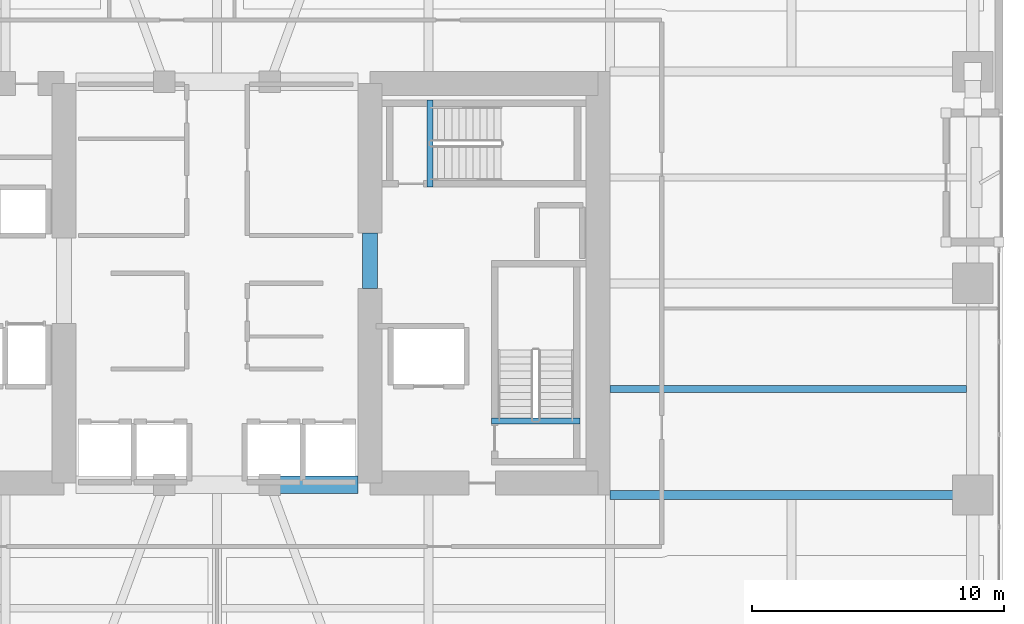
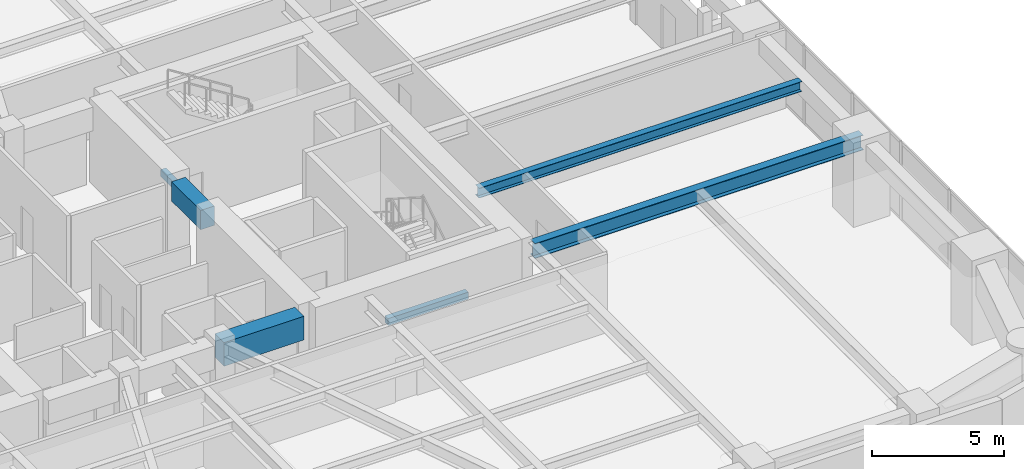
# One storey, part 7 of 29: 6 beams.
"""IFC4 building model written with IfcOpenShell, lengths in metres."""

import ifcopenshell
import ifcopenshell.guid

model = None  # the IFC model being written
_history = None  # IfcOwnerHistory: only IFC2X3 demands one
_inside = {}  # id of a spatial element -> (the spatial element, [elements in it])
_under = {}  # id of a project, library or spatial element -> (it, [spatial elements below it])
_declared = {}  # id of a project -> (the project, [libraries it declares])
_typed = {}  # id of a type object -> (the type object, [elements of that type])
_made_of = {}  # id of a material, layer set ... -> (it, [elements and type objects made of it])


def new_model(schema):
    """Start an empty IFC model of exactly this schema.

    Asked for "IFC4X3", IfcOpenShell would pick the latest addendum, in which some entities
    have other attributes; the version numbers below select the first issue.
    IFC2X3 requires an IfcOwnerHistory on every rooted entity: one is made here for all.
    """
    global model, _history
    if schema == "IFC4X3":
        model = ifcopenshell.file(schema_version=(4, 3, 0, 0))
    else:
        model = ifcopenshell.file(schema=schema)
    _inside.clear()
    _under.clear()
    _declared.clear()
    _typed.clear()
    _made_of.clear()
    _history = None
    if model.schema == "IFC2X3":
        org = make("IfcOrganization", Name="unknown")
        user = make(
            "IfcPersonAndOrganization",
            ThePerson=make("IfcPerson", FamilyName="unknown"),
            TheOrganization=org,
        )
        app = make(
            "IfcApplication",
            ApplicationDeveloper=org,
            Version="unknown",
            ApplicationFullName="unknown",
            ApplicationIdentifier="unknown",
        )
        _history = make(
            "IfcOwnerHistory",
            OwningUser=user,
            OwningApplication=app,
            ChangeAction="ADDED",
            CreationDate=0,
        )
    return model


def make(cls, **values):
    """One entity of the class cls with the attributes given. An attribute that is None is left unset."""
    return model.create_entity(
        cls, **{name: value for name, value in values.items() if value is not None}
    )


def rooted(cls, **values):
    """An entity with a GlobalId (a new one), such as an element, a storey or a relation."""
    return make(cls, GlobalId=ifcopenshell.guid.new(), OwnerHistory=_history, **values)


def si_unit(unit_type, name, prefix=None):
    """IfcSIUnit, for example si_unit("LENGTHUNIT", "METRE", prefix="MILLI")."""
    return make("IfcSIUnit", UnitType=unit_type, Prefix=prefix, Name=name)


def assignment(units):
    """IfcUnitAssignment: the units of a project."""
    return None if units is None else make("IfcUnitAssignment", Units=units)


def point(xyz):
    """IfcCartesianPoint."""
    return None if xyz is None else make("IfcCartesianPoint", Coordinates=xyz)


def direction(xyz):
    """IfcDirection."""
    return None if xyz is None else make("IfcDirection", DirectionRatios=xyz)


def frame(location, z_axis=None, x_axis=None):
    """IfcAxis2Placement3D, a coordinate frame: its origin and axes. An axis left out is left unset."""
    return make(
        "IfcAxis2Placement3D",
        Location=point(location),
        Axis=direction(z_axis),
        RefDirection=direction(x_axis),
    )


def frame_2d(location, x_axis=None):
    """IfcAxis2Placement2D, a coordinate frame in the plane: its origin and x axis."""
    return make(
        "IfcAxis2Placement2D", Location=point(location), RefDirection=direction(x_axis)
    )


def origin():
    """The frame at (0, 0, 0) with its axes left unset."""
    return frame((0.0, 0.0, 0.0))


def origin_2d():
    """The frame at (0, 0) in the plane with its x axis left unset."""
    return frame_2d((0.0, 0.0))


def place(relative_to, where):
    """IfcLocalPlacement: puts the frame where relative to a parent placement (None: the world)."""
    return make(
        "IfcLocalPlacement", PlacementRelTo=relative_to, RelativePlacement=where
    )


def context(
    kind, dimensions, precision=None, world=None, true_north=None, identifier=None
):
    """IfcGeometricRepresentationContext, for example the 3D "Model" context."""
    return make(
        "IfcGeometricRepresentationContext",
        ContextIdentifier=identifier,
        ContextType=kind,
        CoordinateSpaceDimension=dimensions,
        Precision=precision,
        WorldCoordinateSystem=world,
        TrueNorth=true_north,
    )


def subcontext(parent, identifier, kind, view, scale=None):
    """IfcGeometricRepresentationSubContext, for example "Body" below "Model"."""
    return make(
        "IfcGeometricRepresentationSubContext",
        ContextIdentifier=identifier,
        ContextType=kind,
        ParentContext=parent,
        TargetScale=scale,
        TargetView=view,
    )


def project(units=None, contexts=None):
    """IfcProject with its units and contexts."""
    return rooted(
        "IfcProject",
        Name="project",
        RepresentationContexts=contexts,
        UnitsInContext=assignment(units),
    )


def spatial(cls, under=None, at=None, **own):
    """A site, building, storey or space (cls), placed at a placement, below another one or the project."""
    s = rooted(cls, ObjectPlacement=at, **own)
    if under is not None:
        _under.setdefault(under.id(), (under, []))[1].append(s)
    return s


def profile(cls, at=None, kind="AREA", **sizes):
    """A parametric profile (cls). Its sizes go by their IFC names, for example OverallWidth=200.0."""
    return make(cls, ProfileType=kind, Position=at, **sizes)


def rectangle(**sizes):
    """IfcRectangleProfileDef."""
    return profile("IfcRectangleProfileDef", **sizes)


def i_section(**sizes):
    """IfcIShapeProfileDef."""
    return profile("IfcIShapeProfileDef", **sizes)


def extrude(swept, where, along, depth):
    """IfcExtrudedAreaSolid: the profile swept, set in the frame where, extruded along a direction by depth."""
    return make(
        "IfcExtrudedAreaSolid",
        SweptArea=swept,
        Position=where,
        ExtrudedDirection=direction(along),
        Depth=depth,
    )


def shape(context_of_items, identifier, shape_type, items):
    """IfcShapeRepresentation: the items that make up one representation, for example the "Body"."""
    return make(
        "IfcShapeRepresentation",
        ContextOfItems=context_of_items,
        RepresentationIdentifier=identifier,
        RepresentationType=shape_type,
        Items=items,
    )


def material(Name=None, Category=None):
    """IfcMaterial."""
    return make("IfcMaterial", Name=Name, Category=Category)


def material_profile(
    of_material, cross_section, Name=None, Category=None, Priority=None
):
    """IfcMaterialProfile: a cross section and its material."""
    return make(
        "IfcMaterialProfile",
        Name=Name,
        Material=of_material,
        Profile=cross_section,
        Priority=Priority,
        Category=Category,
    )


def profile_set(profiles, Name=None, composite=None):
    """IfcMaterialProfileSet."""
    return make(
        "IfcMaterialProfileSet",
        Name=Name,
        MaterialProfiles=profiles,
        CompositeProfile=composite,
    )


def made_of(thing, what):
    """Note that an element or type object is made of a material, layer set ...; save() writes the relation."""
    if what is not None:
        _made_of.setdefault(what.id(), (what, []))[1].append(thing)
    return thing


def type_object(cls, material=None, **own):
    """A type object (cls), such as IfcWallType, which elements share."""
    return made_of(rooted(cls, **own), material)


def element(
    cls,
    number,
    at=None,
    inside=None,
    cuts=None,
    type_object=None,
    material=None,
    context=None,
    identifier="Body",
    shape_type=None,
    held_by="IfcProductDefinitionShape",
    body=None,
    shapes=None,
    **own,
):
    """One element of the class cls, such as IfcWall. Its Tag is "e" and its number.

    at: its placement. inside: the storey or other place that contains it. cuts: it is an
    opening in that element (IfcRelVoidsElement). A single representation is given by context,
    identifier, shape_type and body (its items); several are given by shapes. held_by: the class
    of the entity that holds the representations. save() writes the other relations.
    """
    e = rooted(cls, Tag="e%d" % number, ObjectPlacement=at, **own)
    if body is not None:
        shapes = [shape(context, identifier, shape_type, body)]
    if shapes is not None:
        e.Representation = make(held_by, Representations=shapes)
    if inside is not None:
        _inside.setdefault(inside.id(), (inside, []))[1].append(e)
    if cuts is not None:
        rooted(
            "IfcRelVoidsElement", RelatingBuildingElement=cuts, RelatedOpeningElement=e
        )
    if type_object is not None:
        _typed.setdefault(type_object.id(), (type_object, []))[1].append(e)
    return made_of(e, material)


def aggregate(whole, parts):
    """IfcRelAggregates: a whole, such as a stair, and the parts it consists of."""
    return rooted("IfcRelAggregates", RelatingObject=whole, RelatedObjects=parts)


def save(model, path):
    """Write the relations noted so far, then the file.

    IfcRelAggregates (storeys below a building ...), IfcRelContainedInSpatialStructure (elements
    in a storey), IfcRelDefinesByType, IfcRelAssociatesMaterial and IfcRelDeclares: one each for
    every whole, place, type object, material and project.
    """
    for whole, parts in _under.values():
        aggregate(whole, parts)
    for where, things in _inside.values():
        rooted(
            "IfcRelContainedInSpatialStructure",
            RelatedElements=things,
            RelatingStructure=where,
        )
    for kind, things in _typed.values():
        rooted("IfcRelDefinesByType", RelatedObjects=things, RelatingType=kind)
    for what, things in _made_of.values():
        rooted("IfcRelAssociatesMaterial", RelatedObjects=things, RelatingMaterial=what)
    for by, libraries in _declared.values():
        rooted("IfcRelDeclares", RelatingContext=by, RelatedDefinitions=libraries)
    model.write(path)


model = new_model("IFC4")

# Units and contexts
model_context = context("Model", 3, precision=1e-05, world=origin(), true_north=direction((0.0, 1.0)))
body_context = subcontext(model_context, "Body", "Model", "MODEL_VIEW")
ifc_project = project(units=[si_unit("LENGTHUNIT", "METRE"), si_unit("AREAUNIT", "SQUARE_METRE"), si_unit("VOLUMEUNIT", "CUBIC_METRE"), si_unit("PLANEANGLEUNIT", "RADIAN"), si_unit("MASSUNIT", "GRAM", prefix="KILO")], contexts=[model_context])

# Site, building, storey
site_placement = place(None, origin())
site = spatial("IfcSite", under=ifc_project, at=site_placement, CompositionType="ELEMENT")
building_placement = place(site_placement, origin())
building = spatial("IfcBuilding", under=site, at=building_placement, Name="Kiyonajd Concourse Tower", CompositionType="ELEMENT")
storey_placement = place(building_placement, frame((0.0, 0.0, 29.39990234375)))
storey = spatial("IfcBuildingStorey", under=building, at=storey_placement, Name="L08", CompositionType="ELEMENT", Elevation=29.39990234375)

# Beams
ifc_material_1 = material(Name="Concrete C70/85", Category="concrete")
ifc_material_profile_1 = material_profile(ifc_material_1, rectangle(XDim=0.699951171875, YDim=1.10009765625, at=origin_2d()), Name="RCBM-700x1100")
ifc_profile_set_1 = profile_set([ifc_material_profile_1], Name="Concrete C70/85")
beam_type_1 = type_object("IfcBeamType", Name="BM-COUP-1100", PredefinedType="LINTEL", material=ifc_profile_set_1)
beam_1_placement = place(storey_placement, frame((50.10009765625, 28.0, 3.090087890625), z_axis=(1.0, 0.0, 0.0), x_axis=(0.0, 1.0, 0.0)))
element("IfcBeam", 1, at=beam_1_placement, inside=storey, type_object=beam_type_1, Name="L08 Core Coupling Beam S3", PredefinedType="LINTEL", context=body_context, shape_type="SweptSolid", body=[
    extrude(rectangle(XDim=0.699951171875, YDim=1.10009765625, at=origin_2d()), origin(), (0.0, 0.0, 1.0), 3.5),
])
ifc_material_2 = material(Name="Concrete C60/75", Category="concrete")
ifc_material_profile_2 = material_profile(ifc_material_2, rectangle(XDim=0.60009765625, YDim=0.89990234375, at=origin_2d()), Name="RCBM-600x900")
ifc_profile_set_2 = profile_set([ifc_material_profile_2], Name="Concrete C60/75")
beam_type_2 = type_object("IfcBeamType", Name="BM-COUP-900", PredefinedType="LINTEL", material=ifc_profile_set_2)
beam_2_placement = place(storey_placement, frame((54.074951171875, 35.800048828125, 3.090087890625), z_axis=(0.0, 1.0, 0.0), x_axis=(-1.0, 0.0, 0.0)))
element("IfcBeam", 2, at=beam_2_placement, inside=storey, type_object=beam_type_2, Name="L08 East Core Throat Coupling Lintel", PredefinedType="LINTEL", context=body_context, shape_type="SweptSolid", body=[
    extrude(rectangle(XDim=0.60009765625, YDim=0.89990234375, at=origin_2d()), origin(), (0.0, 0.0, 1.0), 2.199951171875),
])
ifc_material_3 = material(Name="Steel ASTM A992 Grade 50", Category="steel")
ifc_material_profile_3 = material_profile(ifc_material_3, i_section(OverallWidth=0.280029296875, OverallDepth=0.462890625, WebThickness=0.0107421875, FlangeThickness=0.017333984375, at=origin_2d()), Name="W460X113")
ifc_profile_set_3 = profile_set([ifc_material_profile_3], Name="Steel ASTM A992 Grade 50")
beam_type_3 = type_object("IfcBeamType", Name="BM-JST-460A", PredefinedType="JOIST", material=ifc_profile_set_3)
beam_3_placement = place(storey_placement, frame((63.60009765625, 31.800048828125, 3.40869140625), z_axis=(1.0, 0.0, 0.0), x_axis=(0.0, 1.0, 0.0)))
element("IfcBeam", 3, at=beam_3_placement, inside=storey, type_object=beam_type_3, Name="L08 East Secondary Floor Joist", PredefinedType="JOIST", context=body_context, shape_type="SweptSolid", body=[
    extrude(i_section(OverallWidth=0.280029296875, OverallDepth=0.462890625, WebThickness=0.0107421875, FlangeThickness=0.017333984375, at=origin_2d()), origin(), (0.0, 0.0, 1.0), 14.14990234375),
])
ifc_material_4 = material(Name="Concrete C50/60", Category="concrete")
ifc_material_profile_4 = material_profile(ifc_material_4, rectangle(XDim=0.239990234375, YDim=0.320068359375, at=origin_2d()), Name="RCBM-240x320")
ifc_profile_set_4 = profile_set([ifc_material_profile_4], Name="Concrete C50/60")
beam_type_4 = type_object("IfcBeamType", Name="BM-LNT-250", PredefinedType="LINTEL", material=ifc_profile_set_4)
beam_4_placement = place(storey_placement, frame((58.889892578125, 30.530029296875, -0.159912109375), z_axis=(1.0, 0.0, 0.0), x_axis=(0.0, 1.0, 0.0)))
element("IfcBeam", 4, at=beam_4_placement, inside=storey, type_object=beam_type_4, Name="L08 Stair ST2 Threshold Support Beam", PredefinedType="LINTEL", context=body_context, shape_type="SweptSolid", body=[
    extrude(rectangle(XDim=0.239990234375, YDim=0.320068359375, at=origin_2d()), origin(), (0.0, 0.0, 1.0), 3.52001953125),
])
beam_5_placement = place(storey_placement, frame((56.4599609375, 39.820068359375, -0.159912109375), z_axis=(0.0, 1.0, 0.0), x_axis=(-1.0, 0.0, 0.0)))
element("IfcBeam", 5, at=beam_5_placement, inside=storey, type_object=beam_type_4, Name="L08 Stair ST3 Threshold Support Beam", PredefinedType="LINTEL", context=body_context, shape_type="SweptSolid", body=[
    extrude(rectangle(XDim=0.239990234375, YDim=0.320068359375, at=origin_2d()), origin(), (0.0, 0.0, 1.0), 3.4599609375),
])
ifc_material_profile_5 = material_profile(ifc_material_3, i_section(OverallWidth=0.35498046875, OverallDepth=0.695068359375, WebThickness=0.015380859375, FlangeThickness=0.02490234375, at=origin_2d()), Name="W690X217")
ifc_profile_set_5 = profile_set([ifc_material_profile_5], Name="Steel ASTM A992 Grade 50")
beam_type_5 = type_object("IfcBeamType", Name="BM-TWR-690", PredefinedType="BEAM", material=ifc_profile_set_5)
beam_6_placement = place(storey_placement, frame((63.60009765625, 27.60009765625, 3.29248046875), z_axis=(1.0, 0.0, 0.0), x_axis=(0.0, 1.0, 0.0)))
element("IfcBeam", 6, at=beam_6_placement, inside=storey, type_object=beam_type_5, Name="L08 East Lease Girder", PredefinedType="BEAM", context=body_context, shape_type="SweptSolid", body=[
    extrude(i_section(OverallWidth=0.35498046875, OverallDepth=0.695068359375, WebThickness=0.015380859375, FlangeThickness=0.02490234375, at=origin_2d()), origin(), (0.0, 0.0, 1.0), 14.39990234375),
])

save(model, "model.ifc")
